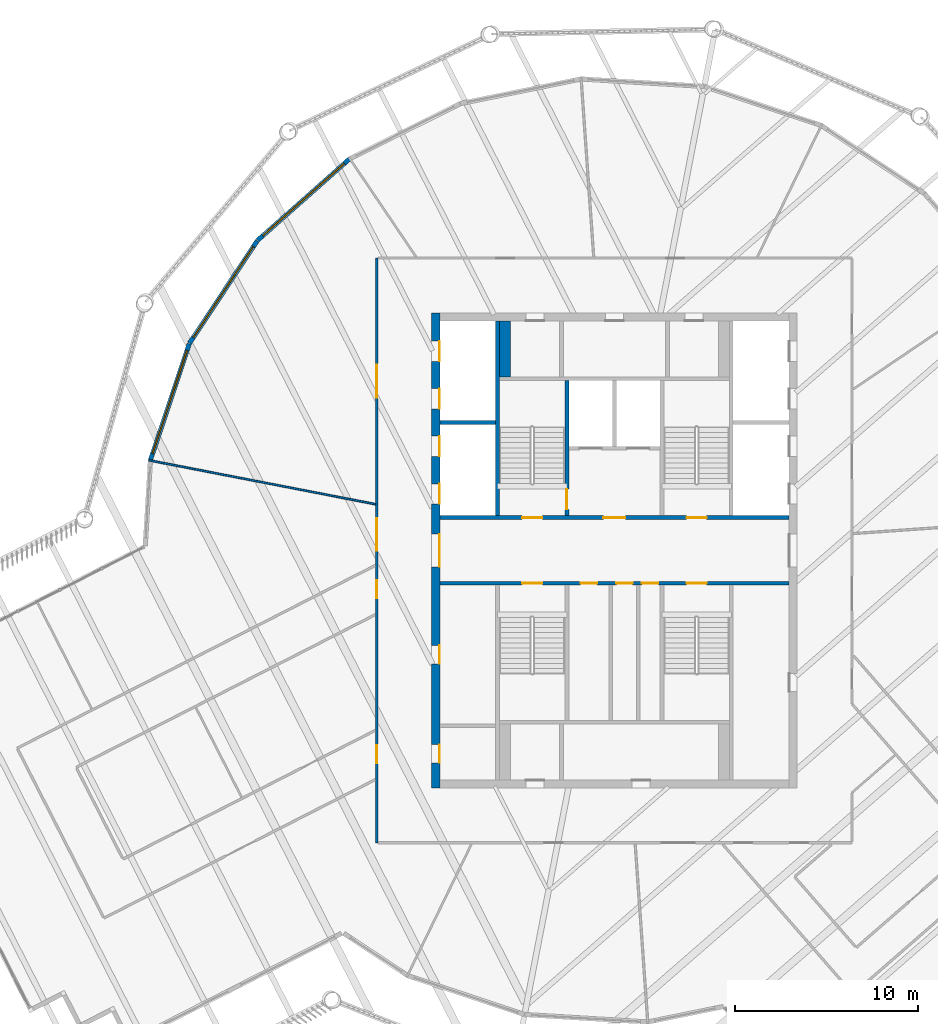
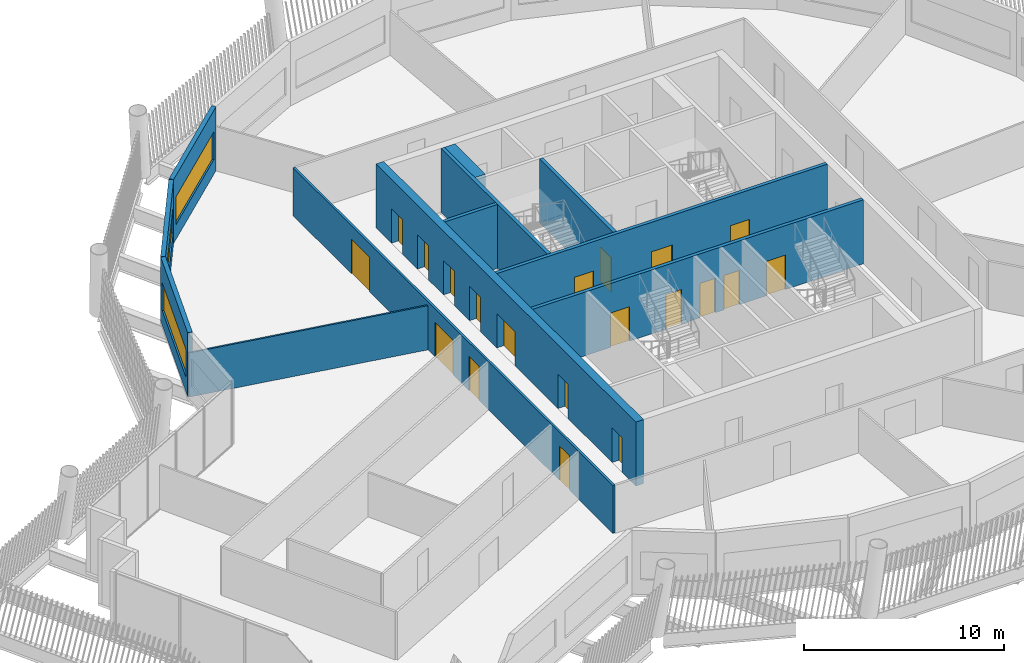
# One storey, part 19 of 28: 20 doors, 12 walls, 3 windows, 23 openings.
"""IFC4 building model written with IfcOpenShell, lengths in metres."""

from ifc_helpers import new_model, si_unit, direction, frame, frame_2d, origin, place, context, subcontext, project, spatial, rectangle, extrude, material, layer, layer_set, type_object, element, fill, save


model = new_model("IFC4")

# Units and contexts
model_context = context("Model", 3, precision=1e-05, world=origin(), true_north=direction((0.0, 1.0)))
body_context = subcontext(model_context, "Body", "Model", "MODEL_VIEW")
ifc_project = project(units=[si_unit("LENGTHUNIT", "METRE"), si_unit("AREAUNIT", "SQUARE_METRE"), si_unit("VOLUMEUNIT", "CUBIC_METRE"), si_unit("PLANEANGLEUNIT", "RADIAN"), si_unit("MASSUNIT", "GRAM", prefix="KILO")], contexts=[model_context])

# Site, building, storey
site_placement = place(None, origin())
site = spatial("IfcSite", under=ifc_project, at=site_placement, CompositionType="ELEMENT")
building_placement = place(site_placement, origin())
building = spatial("IfcBuilding", under=site, at=building_placement, Name="Tarsis Ring Headquarters", CompositionType="ELEMENT")
storey_placement = place(building_placement, frame((0.0, 0.0, 394.39990234375)))
storey = spatial("IfcBuildingStorey", under=building, at=storey_placement, Name="L93", CompositionType="ELEMENT", Elevation=394.39990234375)

# Wall, openings, doors
ifc_material_1 = material(Name="Concrete C50/60", Category="concrete")
ifc_layer_1 = layer(ifc_material_1, 0.449951171875)
ifc_layer_set_1 = layer_set([ifc_layer_1], Name="Core wall 450 C50/60")
wall_type_1 = type_object("IfcWallType", Name="Core wall 450 C50/60", PredefinedType="SHEAR", material=ifc_layer_set_1)
wall_1_placement = place(storey_placement, frame((-9.77490234375, -13.0, 0.0), z_axis=(0.0, 0.0, 1.0), x_axis=(0.0, 1.0, 0.0)))
wall_1 = element("IfcWall", 1, at=wall_1_placement, inside=storey, type_object=wall_type_1, Name="Core wall OW", PredefinedType="SHEAR", context=body_context, shape_type="SweptSolid", body=[
    extrude(rectangle(XDim=26.0, YDim=0.449951171875, at=frame_2d((13.0, 0.0))), origin(), (0.0, 0.0, 1.0), 3.900146484375),
])
opening_1_placement = place(wall_1_placement, frame((1.375, 0.0, 0.0)))
opening_1 = element("IfcOpeningElement", 2, at=opening_1_placement, cuts=wall_1, Name="Opening L93-C01", PredefinedType="OPENING", context=body_context, shape_type="SweptSolid", body=[
    extrude(rectangle(XDim=1.0, YDim=2.10009765625, at=frame_2d((0.5, 1.050048828125))), frame((0.0, 0.23486328125, 0.0), z_axis=(0.0, -1.0, 0.0), x_axis=(1.0, 0.0, 0.0)), (0.0, 0.0, 1.0), 0.469970703125),
])
opening_2_placement = place(wall_1_placement, frame((6.800048828125, 0.0, 0.0)))
opening_2 = element("IfcOpeningElement", 3, at=opening_2_placement, cuts=wall_1, Name="Opening L93-C02", PredefinedType="OPENING", context=body_context, shape_type="SweptSolid", body=[
    extrude(rectangle(XDim=1.0, YDim=2.10009765625, at=frame_2d((0.5, 1.050048828125))), frame((0.0, 0.23486328125, 0.0), z_axis=(0.0, -1.0, 0.0), x_axis=(1.0, 0.0, 0.0)), (0.0, 0.0, 1.0), 0.469970703125),
])
opening_3_placement = place(wall_1_placement, frame((12.10009765625, 0.0, 0.0)))
opening_3 = element("IfcOpeningElement", 4, at=opening_3_placement, cuts=wall_1, Name="Opening L93-C03", PredefinedType="OPENING", context=body_context, shape_type="SweptSolid", body=[
    extrude(rectangle(XDim=1.800048828125, YDim=2.10009765625, at=frame_2d((0.89990234375, 1.050048828125))), frame((0.0, 0.23486328125, 0.0), z_axis=(0.0, -1.0, 0.0), x_axis=(1.0, 0.0, 0.0)), (0.0, 0.0, 1.0), 0.469970703125),
])
opening_4_placement = place(wall_1_placement, frame((15.550048828125, 0.0, 0.0)))
opening_4 = element("IfcOpeningElement", 5, at=opening_4_placement, cuts=wall_1, Name="Opening LD-HR1", PredefinedType="OPENING", context=body_context, shape_type="SweptSolid", body=[
    extrude(rectangle(XDim=1.10009765625, YDim=2.10009765625, at=frame_2d((0.550048828125, 1.050048828125))), frame((0.0, 0.23486328125, 0.0), z_axis=(0.0, -1.0, 0.0), x_axis=(1.0, 0.0, 0.0)), (0.0, 0.0, 1.0), 0.469970703125),
])
opening_5_placement = place(wall_1_placement, frame((18.14990234375, 0.0, 0.0)))
opening_5 = element("IfcOpeningElement", 6, at=opening_5_placement, cuts=wall_1, Name="Opening LD-HR2", PredefinedType="OPENING", context=body_context, shape_type="SweptSolid", body=[
    extrude(rectangle(XDim=1.10009765625, YDim=2.10009765625, at=frame_2d((0.550048828125, 1.050048828125))), frame((0.0, 0.23486328125, 0.0), z_axis=(0.0, -1.0, 0.0), x_axis=(1.0, 0.0, 0.0)), (0.0, 0.0, 1.0), 0.469970703125),
])
opening_6_placement = place(wall_1_placement, frame((20.75, 0.0, 0.0)))
opening_6 = element("IfcOpeningElement", 7, at=opening_6_placement, cuts=wall_1, Name="Opening LD-HR3", PredefinedType="OPENING", context=body_context, shape_type="SweptSolid", body=[
    extrude(rectangle(XDim=1.10009765625, YDim=2.10009765625, at=frame_2d((0.550048828125, 1.050048828125))), frame((0.0, 0.23486328125, 0.0), z_axis=(0.0, -1.0, 0.0), x_axis=(1.0, 0.0, 0.0)), (0.0, 0.0, 1.0), 0.469970703125),
])
opening_7_placement = place(wall_1_placement, frame((23.35009765625, 0.0, 0.0)))
opening_7 = element("IfcOpeningElement", 8, at=opening_7_placement, cuts=wall_1, Name="Opening LD-HR4", PredefinedType="OPENING", context=body_context, shape_type="SweptSolid", body=[
    extrude(rectangle(XDim=1.10009765625, YDim=2.10009765625, at=frame_2d((0.550048828125, 1.050048828125))), frame((0.0, 0.23486328125, 0.0), z_axis=(0.0, -1.0, 0.0), x_axis=(1.0, 0.0, 0.0)), (0.0, 0.0, 1.0), 0.469970703125),
])
ifc_material_2 = material(Name="Steel S355", Category="steel")
door_type_1 = type_object("IfcDoorType", Name="Core entry door 1800x2100", OperationType="DOUBLE_DOOR_SINGLE_SWING", PredefinedType="DOOR", material=ifc_material_2)
door_1_placement = place(opening_3_placement, origin())
door_1 = element("IfcDoor", 9, at=door_1_placement, inside=storey, type_object=door_type_1, Name="Core entry door L93", OperationType="DOUBLE_DOOR_SINGLE_SWING", OverallHeight=2.10009765625, OverallWidth=1.800048828125, PredefinedType="DOOR", context=body_context, shape_type="SweptSolid", body=[
    extrude(rectangle(XDim=1.800048828125, YDim=2.10009765625, at=frame_2d((0.89990234375, 1.050048828125))), frame((0.0, -0.1748046875, 0.0), z_axis=(0.0, -1.0, 0.0), x_axis=(1.0, 0.0, 0.0)), (0.0, 0.0, 1.0), 0.050048828125),
])
fill(opening_3, door_1)
door_type_2 = type_object("IfcDoorType", Name="Core room door 1000x2100", OperationType="SINGLE_SWING_LEFT", PredefinedType="DOOR", material=ifc_material_2)
door_2_placement = place(opening_1_placement, origin())
door_2 = element("IfcDoor", 10, at=door_2_placement, inside=storey, type_object=door_type_2, Name="Core room door L93", OperationType="SINGLE_SWING_LEFT", OverallHeight=2.10009765625, OverallWidth=1.0, PredefinedType="DOOR", context=body_context, shape_type="SweptSolid", body=[
    extrude(rectangle(XDim=1.0, YDim=2.10009765625, at=frame_2d((0.5, 1.050048828125))), frame((0.0, -0.1748046875, 0.0), z_axis=(0.0, -1.0, 0.0), x_axis=(1.0, 0.0, 0.0)), (0.0, 0.0, 1.0), 0.050048828125),
])
fill(opening_1, door_2)
door_3_placement = place(opening_2_placement, origin())
door_3 = element("IfcDoor", 11, at=door_3_placement, inside=storey, type_object=door_type_2, Name="Core room door L93", OperationType="SINGLE_SWING_LEFT", OverallHeight=2.10009765625, OverallWidth=1.0, PredefinedType="DOOR", context=body_context, shape_type="SweptSolid", body=[
    extrude(rectangle(XDim=1.0, YDim=2.10009765625, at=frame_2d((0.5, 1.050048828125))), frame((0.0, -0.1748046875, 0.0), z_axis=(0.0, -1.0, 0.0), x_axis=(1.0, 0.0, 0.0)), (0.0, 0.0, 1.0), 0.050048828125),
])
fill(opening_2, door_3)
door_type_3 = type_object("IfcDoorType", Name="Landing door 1100x2100", OperationType="SLIDING_TO_LEFT", PredefinedType="DOOR", material=ifc_material_2)
door_4_placement = place(opening_4_placement, origin())
door_4 = element("IfcDoor", 12, at=door_4_placement, inside=storey, type_object=door_type_3, Name="Landing door HR1 L93", OperationType="SLIDING_TO_LEFT", OverallHeight=2.10009765625, OverallWidth=1.10009765625, PredefinedType="DOOR", context=body_context, shape_type="SweptSolid", body=[
    extrude(rectangle(XDim=1.10009765625, YDim=2.10009765625, at=frame_2d((0.550048828125, 1.050048828125))), frame((0.0, -0.1748046875, 0.0), z_axis=(0.0, -1.0, 0.0), x_axis=(1.0, 0.0, 0.0)), (0.0, 0.0, 1.0), 0.050048828125),
])
fill(opening_4, door_4)
door_5_placement = place(opening_5_placement, origin())
door_5 = element("IfcDoor", 13, at=door_5_placement, inside=storey, type_object=door_type_3, Name="Landing door HR2 L93", OperationType="SLIDING_TO_LEFT", OverallHeight=2.10009765625, OverallWidth=1.10009765625, PredefinedType="DOOR", context=body_context, shape_type="SweptSolid", body=[
    extrude(rectangle(XDim=1.10009765625, YDim=2.10009765625, at=frame_2d((0.550048828125, 1.050048828125))), frame((0.0, -0.1748046875, 0.0), z_axis=(0.0, -1.0, 0.0), x_axis=(1.0, 0.0, 0.0)), (0.0, 0.0, 1.0), 0.050048828125),
])
fill(opening_5, door_5)
door_6_placement = place(opening_6_placement, origin())
door_6 = element("IfcDoor", 14, at=door_6_placement, inside=storey, type_object=door_type_3, Name="Landing door HR3 L93", OperationType="SLIDING_TO_LEFT", OverallHeight=2.10009765625, OverallWidth=1.10009765625, PredefinedType="DOOR", context=body_context, shape_type="SweptSolid", body=[
    extrude(rectangle(XDim=1.10009765625, YDim=2.10009765625, at=frame_2d((0.550048828125, 1.050048828125))), frame((0.0, -0.1748046875, 0.0), z_axis=(0.0, -1.0, 0.0), x_axis=(1.0, 0.0, 0.0)), (0.0, 0.0, 1.0), 0.050048828125),
])
fill(opening_6, door_6)
door_7_placement = place(opening_7_placement, origin())
door_7 = element("IfcDoor", 15, at=door_7_placement, inside=storey, type_object=door_type_3, Name="Landing door HR4 L93", OperationType="SLIDING_TO_LEFT", OverallHeight=2.10009765625, OverallWidth=1.10009765625, PredefinedType="DOOR", context=body_context, shape_type="SweptSolid", body=[
    extrude(rectangle(XDim=1.10009765625, YDim=2.10009765625, at=frame_2d((0.550048828125, 1.050048828125))), frame((0.0, -0.1748046875, 0.0), z_axis=(0.0, -1.0, 0.0), x_axis=(1.0, 0.0, 0.0)), (0.0, 0.0, 1.0), 0.050048828125),
])
fill(opening_7, door_7)

# Wall
ifc_material_3 = material(Name="Gypsum board on steel studs", Category="steel")
ifc_layer_2 = layer(ifc_material_3, 0.10009765625)
ifc_layer_set_2 = layer_set([ifc_layer_2], Name="FL partition 100 unrated")
wall_type_2 = type_object("IfcWallType", Name="FL partition 100 unrated", PredefinedType="PARTITIONING", material=ifc_layer_set_2)
wall_2_placement = place(storey_placement, frame((-25.474609375, 4.933349609375, 0.0), z_axis=(0.0, 0.0, 1.0), x_axis=(0.981758799637, -0.190130637552, 0.0)))
element("IfcWall", 16, at=wall_2_placement, inside=storey, type_object=wall_type_2, Name="Partition PW3", PredefinedType="PARTITIONING", context=body_context, shape_type="SweptSolid", body=[
    extrude(rectangle(XDim=12.636474609375, YDim=0.10009765625, at=frame_2d((6.318359375, 0.0))), origin(), (0.0, 0.0, 1.0), 2.7001953125),
])

# Wall, openings, doors
ifc_layer_3 = layer(ifc_material_3, 0.125)
ifc_layer_set_3 = layer_set([ifc_layer_3], Name="FL partition 125 EI 60 H2930")
wall_type_3 = type_object("IfcWallType", Name="FL partition 125 EI 60 H2930", PredefinedType="PARTITIONING", material=ifc_layer_set_3)
wall_3_placement = place(storey_placement, frame((-13.0, -16.0, 0.0), z_axis=(0.0, 0.0, 1.0), x_axis=(0.0, 1.0, 0.0)))
wall_3 = element("IfcWall", 17, at=wall_3_placement, inside=storey, type_object=wall_type_3, Name="Partition PW1H293", PredefinedType="PARTITIONING", context=body_context, shape_type="SweptSolid", body=[
    extrude(rectangle(XDim=32.0, YDim=0.125, at=frame_2d((16.0, 0.0))), origin(), (0.0, 0.0, 1.0), 2.93017578125),
])
opening_8_placement = place(wall_3_placement, frame((15.971435546875, 0.0, 0.0)))
opening_8 = element("IfcOpeningElement", 18, at=opening_8_placement, cuts=wall_3, Name="Opening D93.02", PredefinedType="OPENING", context=body_context, shape_type="SweptSolid", body=[
    extrude(rectangle(XDim=1.800048828125, YDim=2.10009765625, at=frame_2d((0.89990234375, 1.050048828125))), frame((0.0, 0.072509765625, 0.0), z_axis=(0.0, -1.0, 0.0), x_axis=(1.0, 0.0, 0.0)), (0.0, 0.0, 1.0), 0.14501953125),
])
opening_9_placement = place(wall_3_placement, frame((24.35888671875, 0.0, 0.0)))
opening_9 = element("IfcOpeningElement", 19, at=opening_9_placement, cuts=wall_3, Name="Opening D93.03", PredefinedType="OPENING", context=body_context, shape_type="SweptSolid", body=[
    extrude(rectangle(XDim=1.800048828125, YDim=2.10009765625, at=frame_2d((0.89990234375, 1.050048828125))), frame((0.0, 0.072509765625, 0.0), z_axis=(0.0, -1.0, 0.0), x_axis=(1.0, 0.0, 0.0)), (0.0, 0.0, 1.0), 0.14501953125),
])
opening_10_placement = place(wall_3_placement, frame((4.351318359375, 0.0, 0.0)))
opening_10 = element("IfcOpeningElement", 20, at=opening_10_placement, cuts=wall_3, Name="Opening D93.17", PredefinedType="OPENING", context=body_context, shape_type="SweptSolid", body=[
    extrude(rectangle(XDim=1.0, YDim=2.10009765625, at=frame_2d((0.5, 1.050048828125))), frame((0.0, 0.072509765625, 0.0), z_axis=(0.0, -1.0, 0.0), x_axis=(1.0, 0.0, 0.0)), (0.0, 0.0, 1.0), 0.14501953125),
])
opening_11_placement = place(wall_3_placement, frame((13.378173828125, 0.0, 0.0)))
opening_11 = element("IfcOpeningElement", 21, at=opening_11_placement, cuts=wall_3, Name="Opening D93.18", PredefinedType="OPENING", context=body_context, shape_type="SweptSolid", body=[
    extrude(rectangle(XDim=1.0, YDim=2.10009765625, at=frame_2d((0.5, 1.050048828125))), frame((0.0, 0.072509765625, 0.0), z_axis=(0.0, -1.0, 0.0), x_axis=(1.0, 0.0, 0.0)), (0.0, 0.0, 1.0), 0.14501953125),
])
ifc_material_4 = material(Name="Fire-rated timber door leaf in steel frame", Category="steel")
door_type_4 = type_object("IfcDoorType", Name="FL door FD60-1000", OperationType="NOTDEFINED", PredefinedType="DOOR", material=ifc_material_4)
door_8_placement = place(opening_10_placement, origin())
door_8 = element("IfcDoor", 22, at=door_8_placement, inside=storey, type_object=door_type_4, Name="Door D93.17", OperationType="SINGLE_SWING_RIGHT", OverallHeight=2.10009765625, OverallWidth=1.0, PredefinedType="DOOR", context=body_context, shape_type="SweptSolid", body=[
    extrude(rectangle(XDim=1.0, YDim=2.10009765625, at=frame_2d((0.5, 1.050048828125))), frame((0.0, 0.02490234375, 0.0), z_axis=(0.0, -1.0, 0.0), x_axis=(1.0, 0.0, 0.0)), (0.0, 0.0, 1.0), 0.050048828125),
])
fill(opening_10, door_8)
door_9_placement = place(opening_11_placement, origin())
door_9 = element("IfcDoor", 23, at=door_9_placement, inside=storey, type_object=door_type_4, Name="Door D93.18", OperationType="SINGLE_SWING_LEFT", OverallHeight=2.10009765625, OverallWidth=1.0, PredefinedType="DOOR", context=body_context, shape_type="SweptSolid", body=[
    extrude(rectangle(XDim=1.0, YDim=2.10009765625, at=frame_2d((0.5, 1.050048828125))), frame((0.0, 0.02490234375, 0.0), z_axis=(0.0, -1.0, 0.0), x_axis=(1.0, 0.0, 0.0)), (0.0, 0.0, 1.0), 0.050048828125),
])
fill(opening_11, door_9)
door_type_5 = type_object("IfcDoorType", Name="FL door FD60-1800", OperationType="DOUBLE_DOOR_SINGLE_SWING", PredefinedType="DOOR", material=ifc_material_4)
door_10_placement = place(opening_8_placement, origin())
door_10 = element("IfcDoor", 24, at=door_10_placement, inside=storey, type_object=door_type_5, Name="Door D93.02", OperationType="DOUBLE_DOOR_SINGLE_SWING", OverallHeight=2.10009765625, OverallWidth=1.800048828125, PredefinedType="DOOR", context=body_context, shape_type="SweptSolid", body=[
    extrude(rectangle(XDim=1.800048828125, YDim=2.10009765625, at=frame_2d((0.89990234375, 1.050048828125))), frame((0.0, 0.02490234375, 0.0), z_axis=(0.0, -1.0, 0.0), x_axis=(1.0, 0.0, 0.0)), (0.0, 0.0, 1.0), 0.050048828125),
])
fill(opening_8, door_10)
door_11_placement = place(opening_9_placement, origin())
door_11 = element("IfcDoor", 25, at=door_11_placement, inside=storey, type_object=door_type_5, Name="Door D93.03", OperationType="DOUBLE_DOOR_SINGLE_SWING", OverallHeight=2.10009765625, OverallWidth=1.800048828125, PredefinedType="DOOR", context=body_context, shape_type="SweptSolid", body=[
    extrude(rectangle(XDim=1.800048828125, YDim=2.10009765625, at=frame_2d((0.89990234375, 1.050048828125))), frame((0.0, 0.02490234375, 0.0), z_axis=(0.0, -1.0, 0.0), x_axis=(1.0, 0.0, 0.0)), (0.0, 0.0, 1.0), 0.050048828125),
])
fill(opening_9, door_11)

# Wall, opening, window
ifc_material_5 = material(Name="Terracotta clad insulated panel wall", Category="masonry")
ifc_layer_4 = layer(ifc_material_5, 0.25)
ifc_layer_set_4 = layer_set([ifc_layer_4], Name="Facade wall terracotta panel 250")
wall_type_4 = type_object("IfcWallType", Name="Facade wall terracotta panel 250", PredefinedType="STANDARD", material=ifc_layer_set_4)
wall_4_placement = place(storey_placement, frame((-14.495849609375, 21.429443359375, 0.0), z_axis=(0.0, 0.0, 1.0), x_axis=(-0.748496486275, -0.663138756244, 0.0)))
wall_4 = element("IfcWall", 26, at=wall_4_placement, inside=storey, type_object=wall_type_4, Name="External wall L93-27", PredefinedType="STANDARD", context=body_context, shape_type="SweptSolid", body=[
    extrude(rectangle(XDim=6.721435546875, YDim=0.25, at=frame_2d((3.36083984375, 0.0))), origin(), (0.0, 0.0, 1.0), 3.900146484375),
])
opening_12_placement = place(wall_4_placement, frame((0.3857421875, 0.0, 0.89990234375)))
opening_12 = element("IfcOpeningElement", 27, at=opening_12_placement, cuts=wall_4, Name="Opening WN07", PredefinedType="OPENING", context=body_context, shape_type="SweptSolid", body=[
    extrude(rectangle(XDim=5.949951171875, YDim=1.699951171875, at=frame_2d((2.97509765625, 0.85009765625))), frame((0.0, 0.135009765625, 0.0), z_axis=(0.0, -1.0, 0.0), x_axis=(1.0, 0.0, 0.0)), (0.0, 0.0, 1.0), 0.27001953125),
])
ifc_material_6 = material(Name="Aluminium framed double glazing", Category="aluminium")
window_type = type_object("IfcWindowType", Name="Facade window 5950 x 1700", PartitioningType="SINGLE_PANEL", PredefinedType="WINDOW", material=ifc_material_6)
window_1_placement = place(opening_12_placement, origin())
window_1 = element("IfcWindow", 28, at=window_1_placement, inside=storey, type_object=window_type, Name="Window L93-27.1", OverallHeight=1.699951171875, OverallWidth=5.949951171875, PartitioningType="SINGLE_PANEL", PredefinedType="WINDOW", context=body_context, shape_type="SweptSolid", body=[
    extrude(rectangle(XDim=5.949951171875, YDim=1.699951171875, at=frame_2d((2.97509765625, 0.85009765625))), frame((0.0, 0.030029296875, 0.0), z_axis=(0.0, -1.0, 0.0), x_axis=(1.0, 0.0, 0.0)), (0.0, 0.0, 1.0), 0.06005859375),
])
fill(opening_12, window_1)

wall_5_placement = place(storey_placement, frame((-19.548095703125, 16.947509765625, 0.0), z_axis=(0.0, 0.0, 1.0), x_axis=(-0.551359751486, -0.834267597621, 0.0)))
wall_5 = element("IfcWall", 29, at=wall_5_placement, inside=storey, type_object=wall_type_4, Name="External wall L93-28", PredefinedType="STANDARD", context=body_context, shape_type="SweptSolid", body=[
    extrude(rectangle(XDim=6.7216796875, YDim=0.25, at=frame_2d((3.36083984375, 0.0))), origin(), (0.0, 0.0, 1.0), 3.900146484375),
])
opening_13_placement = place(wall_5_placement, frame((0.3857421875, 0.0, 0.89990234375)))
opening_13 = element("IfcOpeningElement", 30, at=opening_13_placement, cuts=wall_5, Name="Opening WN07", PredefinedType="OPENING", context=body_context, shape_type="SweptSolid", body=[
    extrude(rectangle(XDim=5.949951171875, YDim=1.699951171875, at=frame_2d((2.97509765625, 0.85009765625))), frame((0.0, 0.135009765625, 0.0), z_axis=(0.0, -1.0, 0.0), x_axis=(1.0, 0.0, 0.0)), (0.0, 0.0, 1.0), 0.27001953125),
])
window_2_placement = place(opening_13_placement, origin())
window_2 = element("IfcWindow", 31, at=window_2_placement, inside=storey, type_object=window_type, Name="Window L93-28.1", OverallHeight=1.699951171875, OverallWidth=5.949951171875, PartitioningType="SINGLE_PANEL", PredefinedType="WINDOW", context=body_context, shape_type="SweptSolid", body=[
    extrude(rectangle(XDim=5.949951171875, YDim=1.699951171875, at=frame_2d((2.97509765625, 0.85009765625))), frame((0.0, 0.030029296875, 0.0), z_axis=(0.0, -1.0, 0.0), x_axis=(1.0, 0.0, 0.0)), (0.0, 0.0, 1.0), 0.06005859375),
])
fill(opening_13, window_2)

wall_6_placement = place(storey_placement, frame((-23.2685546875, 11.310546875, 0.0), z_axis=(0.0, 0.0, 1.0), x_axis=(-0.316620018, -0.948552457275, 0.0)))
wall_6 = element("IfcWall", 32, at=wall_6_placement, inside=storey, type_object=wall_type_4, Name="External wall L93-29", PredefinedType="STANDARD", context=body_context, shape_type="SweptSolid", body=[
    extrude(rectangle(XDim=6.721435546875, YDim=0.25, at=frame_2d((3.36083984375, 0.0))), origin(), (0.0, 0.0, 1.0), 3.900146484375),
])
opening_14_placement = place(wall_6_placement, frame((0.3857421875, 0.0, 0.89990234375)))
opening_14 = element("IfcOpeningElement", 33, at=opening_14_placement, cuts=wall_6, Name="Opening WN07", PredefinedType="OPENING", context=body_context, shape_type="SweptSolid", body=[
    extrude(rectangle(XDim=5.949951171875, YDim=1.699951171875, at=frame_2d((2.97509765625, 0.85009765625))), frame((0.0, 0.135009765625, 0.0), z_axis=(0.0, -1.0, 0.0), x_axis=(1.0, 0.0, 0.0)), (0.0, 0.0, 1.0), 0.27001953125),
])
window_3_placement = place(opening_14_placement, origin())
window_3 = element("IfcWindow", 34, at=window_3_placement, inside=storey, type_object=window_type, Name="Window L93-29.1", OverallHeight=1.699951171875, OverallWidth=5.949951171875, PartitioningType="SINGLE_PANEL", PredefinedType="WINDOW", context=body_context, shape_type="SweptSolid", body=[
    extrude(rectangle(XDim=5.949951171875, YDim=1.699951171875, at=frame_2d((2.97509765625, 0.85009765625))), frame((0.0, 0.030029296875, 0.0), z_axis=(0.0, -1.0, 0.0), x_axis=(1.0, 0.0, 0.0)), (0.0, 0.0, 1.0), 0.06005859375),
])
fill(opening_14, window_3)

# Wall
ifc_material_7 = material(Name="Concrete C32/40", Category="concrete")
ifc_layer_5 = layer(ifc_material_7, 0.60009765625)
ifc_layer_set_5 = layer_set([ifc_layer_5], Name="Shaft end wall 600 C32/40")
wall_type_5 = type_object("IfcWallType", Name="Shaft end wall 600 C32/40", PredefinedType="SOLIDWALL", material=ifc_layer_set_5)
wall_7_placement = place(storey_placement, frame((-6.0, 9.5, 0.0), z_axis=(0.0, 0.0, 1.0), x_axis=(0.0, 1.0, 0.0)))
element("IfcWall", 35, at=wall_7_placement, inside=storey, type_object=wall_type_5, Name="Core shaft wall NNE1", PredefinedType="SOLIDWALL", context=body_context, shape_type="SweptSolid", body=[
    extrude(rectangle(XDim=3.050048828125, YDim=0.60009765625, at=frame_2d((1.52490234375, 0.0))), origin(), (0.0, 0.0, 1.0), 3.900146484375),
])

# Wall, openings, doors
ifc_layer_6 = layer(ifc_material_7, 0.199951171875)
ifc_layer_set_6 = layer_set([ifc_layer_6], Name="Shaft wall 200 C32/40")
wall_type_6 = type_object("IfcWallType", Name="Shaft wall 200 C32/40", PredefinedType="SOLIDWALL", material=ifc_layer_set_6)
wall_8_placement = place(storey_placement, frame((-9.550048828125, 1.800048828125, 0.0), z_axis=(0.0, 0.0, 1.0), x_axis=(1.0, 0.0, 0.0)))
wall_8 = element("IfcWall", 36, at=wall_8_placement, inside=storey, type_object=wall_type_6, Name="Core shaft wall CN", PredefinedType="SOLIDWALL", context=body_context, shape_type="SweptSolid", body=[
    extrude(rectangle(XDim=19.10009765625, YDim=0.199951171875, at=frame_2d((9.550048828125, 0.0))), origin(), (0.0, 0.0, 1.0), 3.900146484375),
])
opening_15_placement = place(wall_8_placement, frame((4.5, 0.0, 0.0)))
opening_15 = element("IfcOpeningElement", 37, at=opening_15_placement, cuts=wall_8, Name="Opening L93-C19", PredefinedType="OPENING", context=body_context, shape_type="SweptSolid", body=[
    extrude(rectangle(XDim=1.10009765625, YDim=2.10009765625, at=frame_2d((0.550048828125, 1.050048828125))), frame((0.0, 0.10986328125, 0.0), z_axis=(0.0, -1.0, 0.0), x_axis=(1.0, 0.0, 0.0)), (0.0, 0.0, 1.0), 0.219970703125),
])
opening_16_placement = place(wall_8_placement, frame((8.949951171875, 0.0, 0.0)))
opening_16 = element("IfcOpeningElement", 38, at=opening_16_placement, cuts=wall_8, Name="Opening L93-C20", PredefinedType="OPENING", context=body_context, shape_type="SweptSolid", body=[
    extrude(rectangle(XDim=1.199951171875, YDim=2.10009765625, at=frame_2d((0.60009765625, 1.050048828125))), frame((0.0, 0.10986328125, 0.0), z_axis=(0.0, -1.0, 0.0), x_axis=(1.0, 0.0, 0.0)), (0.0, 0.0, 1.0), 0.219970703125),
])
opening_17_placement = place(wall_8_placement, frame((13.5, 0.0, 0.0)))
opening_17 = element("IfcOpeningElement", 39, at=opening_17_placement, cuts=wall_8, Name="Opening L93-C21", PredefinedType="OPENING", context=body_context, shape_type="SweptSolid", body=[
    extrude(rectangle(XDim=1.10009765625, YDim=2.10009765625, at=frame_2d((0.550048828125, 1.050048828125))), frame((0.0, 0.10986328125, 0.0), z_axis=(0.0, -1.0, 0.0), x_axis=(1.0, 0.0, 0.0)), (0.0, 0.0, 1.0), 0.219970703125),
])
door_type_6 = type_object("IfcDoorType", Name="Firefighting lobby door 1200x2100", OperationType="DOUBLE_DOOR_SINGLE_SWING", PredefinedType="DOOR", material=ifc_material_2)
door_12_placement = place(opening_16_placement, origin())
door_12 = element("IfcDoor", 40, at=door_12_placement, inside=storey, type_object=door_type_6, Name="Firefighting lobby door L93", OperationType="DOUBLE_DOOR_SINGLE_SWING", OverallHeight=2.10009765625, OverallWidth=1.199951171875, PredefinedType="DOOR", context=body_context, shape_type="SweptSolid", body=[
    extrude(rectangle(XDim=1.199951171875, YDim=2.10009765625, at=frame_2d((0.60009765625, 1.050048828125))), frame((0.0, 0.02490234375, 0.0), z_axis=(0.0, -1.0, 0.0), x_axis=(1.0, 0.0, 0.0)), (0.0, 0.0, 1.0), 0.050048828125),
])
fill(opening_16, door_12)
door_type_7 = type_object("IfcDoorType", Name="Stair door 1100x2100", OperationType="SINGLE_SWING_LEFT", PredefinedType="DOOR", material=ifc_material_2)
door_13_placement = place(opening_15_placement, origin())
door_13 = element("IfcDoor", 41, at=door_13_placement, inside=storey, type_object=door_type_7, Name="Stair door L93", OperationType="SINGLE_SWING_LEFT", OverallHeight=2.10009765625, OverallWidth=1.10009765625, PredefinedType="DOOR", context=body_context, shape_type="SweptSolid", body=[
    extrude(rectangle(XDim=1.10009765625, YDim=2.10009765625, at=frame_2d((0.550048828125, 1.050048828125))), frame((0.0, 0.02490234375, 0.0), z_axis=(0.0, -1.0, 0.0), x_axis=(1.0, 0.0, 0.0)), (0.0, 0.0, 1.0), 0.050048828125),
])
fill(opening_15, door_13)
door_14_placement = place(opening_17_placement, origin())
door_14 = element("IfcDoor", 42, at=door_14_placement, inside=storey, type_object=door_type_7, Name="Stair door L93", OperationType="SINGLE_SWING_LEFT", OverallHeight=2.10009765625, OverallWidth=1.10009765625, PredefinedType="DOOR", context=body_context, shape_type="SweptSolid", body=[
    extrude(rectangle(XDim=1.10009765625, YDim=2.10009765625, at=frame_2d((0.550048828125, 1.050048828125))), frame((0.0, 0.02490234375, 0.0), z_axis=(0.0, -1.0, 0.0), x_axis=(1.0, 0.0, 0.0)), (0.0, 0.0, 1.0), 0.050048828125),
])
fill(opening_17, door_14)

wall_9_placement = place(storey_placement, frame((-9.550048828125, -1.800048828125, 0.0), z_axis=(0.0, 0.0, 1.0), x_axis=(1.0, 0.0, 0.0)))
wall_9 = element("IfcWall", 43, at=wall_9_placement, inside=storey, type_object=wall_type_6, Name="Core shaft wall CS", PredefinedType="SOLIDWALL", context=body_context, shape_type="SweptSolid", body=[
    extrude(rectangle(XDim=19.10009765625, YDim=0.199951171875, at=frame_2d((9.550048828125, 0.0))), origin(), (0.0, 0.0, 1.0), 3.900146484375),
])
opening_18_placement = place(wall_9_placement, frame((4.5, 0.0, 0.0)))
opening_18 = element("IfcOpeningElement", 44, at=opening_18_placement, cuts=wall_9, Name="Opening L93-C22", PredefinedType="OPENING", context=body_context, shape_type="SweptSolid", body=[
    extrude(rectangle(XDim=1.10009765625, YDim=2.10009765625, at=frame_2d((0.550048828125, 1.050048828125))), frame((0.0, 0.10986328125, 0.0), z_axis=(0.0, -1.0, 0.0), x_axis=(1.0, 0.0, 0.0)), (0.0, 0.0, 1.0), 0.219970703125),
])
opening_19_placement = place(wall_9_placement, frame((7.699951171875, 0.0, 0.0)))
opening_19 = element("IfcOpeningElement", 45, at=opening_19_placement, cuts=wall_9, Name="Opening L93-C23", PredefinedType="OPENING", context=body_context, shape_type="SweptSolid", body=[
    extrude(rectangle(XDim=0.89990234375, YDim=2.10009765625, at=frame_2d((0.449951171875, 1.050048828125))), frame((0.0, 0.10986328125, 0.0), z_axis=(0.0, -1.0, 0.0), x_axis=(1.0, 0.0, 0.0)), (0.0, 0.0, 1.0), 0.219970703125),
])
opening_20_placement = place(wall_9_placement, frame((9.64990234375, 0.0, 0.0)))
opening_20 = element("IfcOpeningElement", 46, at=opening_20_placement, cuts=wall_9, Name="Opening L93-C24", PredefinedType="OPENING", context=body_context, shape_type="SweptSolid", body=[
    extrude(rectangle(XDim=0.89990234375, YDim=2.10009765625, at=frame_2d((0.449951171875, 1.050048828125))), frame((0.0, 0.10986328125, 0.0), z_axis=(0.0, -1.0, 0.0), x_axis=(1.0, 0.0, 0.0)), (0.0, 0.0, 1.0), 0.219970703125),
])
opening_21_placement = place(wall_9_placement, frame((11.050048828125, 0.0, 0.0)))
opening_21 = element("IfcOpeningElement", 47, at=opening_21_placement, cuts=wall_9, Name="Opening L93-C25", PredefinedType="OPENING", context=body_context, shape_type="SweptSolid", body=[
    extrude(rectangle(XDim=0.89990234375, YDim=2.10009765625, at=frame_2d((0.449951171875, 1.050048828125))), frame((0.0, 0.10986328125, 0.0), z_axis=(0.0, -1.0, 0.0), x_axis=(1.0, 0.0, 0.0)), (0.0, 0.0, 1.0), 0.219970703125),
])
opening_22_placement = place(wall_9_placement, frame((13.5, 0.0, 0.0)))
opening_22 = element("IfcOpeningElement", 48, at=opening_22_placement, cuts=wall_9, Name="Opening L93-C26", PredefinedType="OPENING", context=body_context, shape_type="SweptSolid", body=[
    extrude(rectangle(XDim=1.10009765625, YDim=2.10009765625, at=frame_2d((0.550048828125, 1.050048828125))), frame((0.0, 0.10986328125, 0.0), z_axis=(0.0, -1.0, 0.0), x_axis=(1.0, 0.0, 0.0)), (0.0, 0.0, 1.0), 0.219970703125),
])
door_15_placement = place(opening_18_placement, origin())
door_15 = element("IfcDoor", 49, at=door_15_placement, inside=storey, type_object=door_type_7, Name="Stair door L93", OperationType="SINGLE_SWING_LEFT", OverallHeight=2.10009765625, OverallWidth=1.10009765625, PredefinedType="DOOR", context=body_context, shape_type="SweptSolid", body=[
    extrude(rectangle(XDim=1.10009765625, YDim=2.10009765625, at=frame_2d((0.550048828125, 1.050048828125))), frame((0.0, 0.02490234375, 0.0), z_axis=(0.0, -1.0, 0.0), x_axis=(1.0, 0.0, 0.0)), (0.0, 0.0, 1.0), 0.050048828125),
])
fill(opening_18, door_15)
door_16_placement = place(opening_22_placement, origin())
door_16 = element("IfcDoor", 50, at=door_16_placement, inside=storey, type_object=door_type_7, Name="Stair door L93", OperationType="SINGLE_SWING_LEFT", OverallHeight=2.10009765625, OverallWidth=1.10009765625, PredefinedType="DOOR", context=body_context, shape_type="SweptSolid", body=[
    extrude(rectangle(XDim=1.10009765625, YDim=2.10009765625, at=frame_2d((0.550048828125, 1.050048828125))), frame((0.0, 0.02490234375, 0.0), z_axis=(0.0, -1.0, 0.0), x_axis=(1.0, 0.0, 0.0)), (0.0, 0.0, 1.0), 0.050048828125),
])
fill(opening_22, door_16)
door_type_8 = type_object("IfcDoorType", Name="WC door 900x2100", OperationType="SINGLE_SWING_LEFT", PredefinedType="DOOR", material=ifc_material_2)
door_17_placement = place(opening_19_placement, origin())
door_17 = element("IfcDoor", 51, at=door_17_placement, inside=storey, type_object=door_type_8, Name="WC door L93", OperationType="SINGLE_SWING_LEFT", OverallHeight=2.10009765625, OverallWidth=0.89990234375, PredefinedType="DOOR", context=body_context, shape_type="SweptSolid", body=[
    extrude(rectangle(XDim=0.89990234375, YDim=2.10009765625, at=frame_2d((0.449951171875, 1.050048828125))), frame((0.0, 0.02490234375, 0.0), z_axis=(0.0, -1.0, 0.0), x_axis=(1.0, 0.0, 0.0)), (0.0, 0.0, 1.0), 0.050048828125),
])
fill(opening_19, door_17)
door_18_placement = place(opening_20_placement, origin())
door_18 = element("IfcDoor", 52, at=door_18_placement, inside=storey, type_object=door_type_8, Name="WC door L93", OperationType="SINGLE_SWING_LEFT", OverallHeight=2.10009765625, OverallWidth=0.89990234375, PredefinedType="DOOR", context=body_context, shape_type="SweptSolid", body=[
    extrude(rectangle(XDim=0.89990234375, YDim=2.10009765625, at=frame_2d((0.449951171875, 1.050048828125))), frame((0.0, 0.02490234375, 0.0), z_axis=(0.0, -1.0, 0.0), x_axis=(1.0, 0.0, 0.0)), (0.0, 0.0, 1.0), 0.050048828125),
])
fill(opening_20, door_18)
door_19_placement = place(opening_21_placement, origin())
door_19 = element("IfcDoor", 53, at=door_19_placement, inside=storey, type_object=door_type_8, Name="WC door L93", OperationType="SINGLE_SWING_LEFT", OverallHeight=2.10009765625, OverallWidth=0.89990234375, PredefinedType="DOOR", context=body_context, shape_type="SweptSolid", body=[
    extrude(rectangle(XDim=0.89990234375, YDim=2.10009765625, at=frame_2d((0.449951171875, 1.050048828125))), frame((0.0, 0.02490234375, 0.0), z_axis=(0.0, -1.0, 0.0), x_axis=(1.0, 0.0, 0.0)), (0.0, 0.0, 1.0), 0.050048828125),
])
fill(opening_21, door_19)

# Wall
wall_10_placement = place(storey_placement, frame((-6.39990234375, 1.89990234375, 0.0), z_axis=(0.0, 0.0, 1.0), x_axis=(0.0, 1.0, 0.0)))
element("IfcWall", 54, at=wall_10_placement, inside=storey, type_object=wall_type_6, Name="Core shaft wall WB2", PredefinedType="SOLIDWALL", context=body_context, shape_type="SweptSolid", body=[
    extrude(rectangle(XDim=10.650146484375, YDim=0.199951171875, at=frame_2d((5.3251953125, 0.0))), origin(), (0.0, 0.0, 1.0), 3.900146484375),
])

# Wall, opening, door
wall_11_placement = place(storey_placement, frame((-2.60009765625, 1.89990234375, 0.0), z_axis=(0.0, 0.0, 1.0), x_axis=(0.0, 1.0, 0.0)))
wall_11 = element("IfcWall", 55, at=wall_11_placement, inside=storey, type_object=wall_type_6, Name="Core shaft wall SW1", PredefinedType="SOLIDWALL", context=body_context, shape_type="SweptSolid", body=[
    extrude(rectangle(XDim=7.400146484375, YDim=0.199951171875, at=frame_2d((3.7001953125, 0.0))), origin(), (0.0, 0.0, 1.0), 3.900146484375),
])
opening_23_placement = place(wall_11_placement, frame((0.35009765625, 0.0, 0.0)))
opening_23 = element("IfcOpeningElement", 56, at=opening_23_placement, cuts=wall_11, Name="Opening L93-C27", PredefinedType="OPENING", context=body_context, shape_type="SweptSolid", body=[
    extrude(rectangle(XDim=1.10009765625, YDim=2.10009765625, at=frame_2d((0.550048828125, 1.050048828125))), frame((0.0, 0.10986328125, 0.0), z_axis=(0.0, -1.0, 0.0), x_axis=(1.0, 0.0, 0.0)), (0.0, 0.0, 1.0), 0.219970703125),
])
door_20_placement = place(opening_23_placement, origin())
door_20 = element("IfcDoor", 57, at=door_20_placement, inside=storey, type_object=door_type_7, Name="Stair door L93", OperationType="SINGLE_SWING_LEFT", OverallHeight=2.10009765625, OverallWidth=1.10009765625, PredefinedType="DOOR", context=body_context, shape_type="SweptSolid", body=[
    extrude(rectangle(XDim=1.10009765625, YDim=2.10009765625, at=frame_2d((0.550048828125, 1.050048828125))), frame((0.0, 0.02490234375, 0.0), z_axis=(0.0, -1.0, 0.0), x_axis=(1.0, 0.0, 0.0)), (0.0, 0.0, 1.0), 0.050048828125),
])
fill(opening_23, door_20)

# Wall
wall_12_placement = place(storey_placement, frame((-9.550048828125, 7.0, 0.0), z_axis=(0.0, 0.0, 1.0), x_axis=(1.0, 0.0, 0.0)))
element("IfcWall", 58, at=wall_12_placement, inside=storey, type_object=wall_type_6, Name="Core shaft wall WD6", PredefinedType="SOLIDWALL", context=body_context, shape_type="SweptSolid", body=[
    extrude(rectangle(XDim=3.050048828125, YDim=0.199951171875, at=frame_2d((1.52490234375, 0.0))), origin(), (0.0, 0.0, 1.0), 3.900146484375),
])

save(model, "model.ifc")
